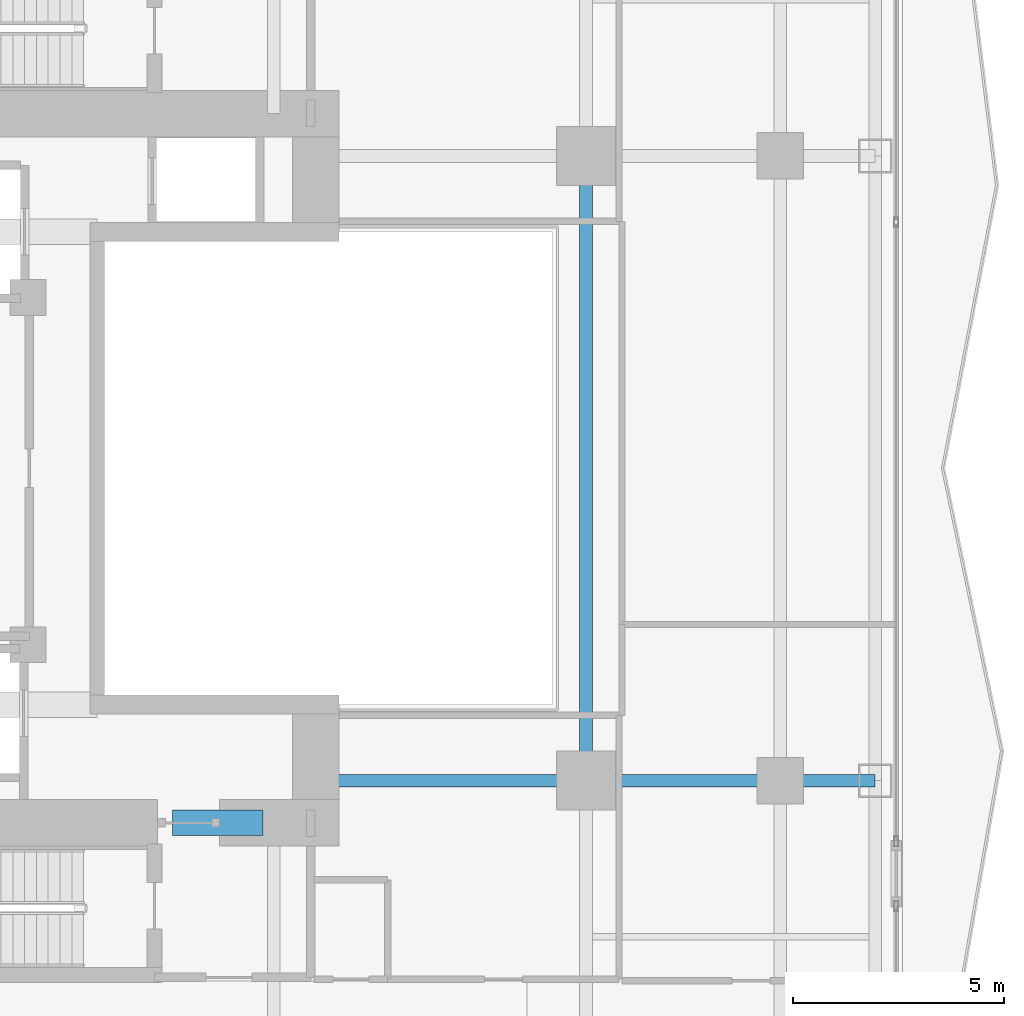
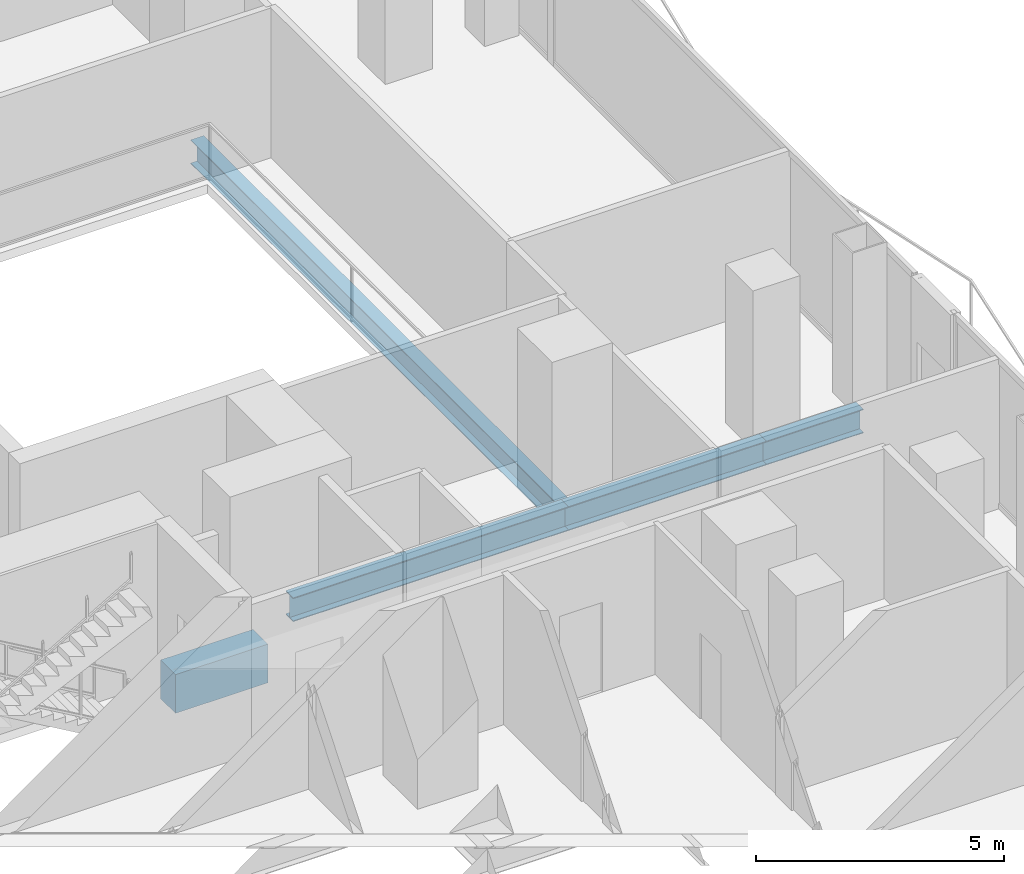
# One storey, part 11 of 29: 5 beams.
"""IFC4 building model written with IfcOpenShell, lengths in metres."""

from ifc_helpers import new_model, si_unit, direction, frame, origin, origin_2d, place, context, subcontext, project, spatial, rectangle, i_section, extrude, material, material_profile, profile_set, type_object, element, save


model = new_model("IFC4")

# Units and contexts
model_context = context("Model", 3, precision=1e-05, world=origin(), true_north=direction((0.0, 1.0)))
body_context = subcontext(model_context, "Body", "Model", "MODEL_VIEW")
ifc_project = project(units=[si_unit("LENGTHUNIT", "METRE"), si_unit("AREAUNIT", "SQUARE_METRE"), si_unit("VOLUMEUNIT", "CUBIC_METRE"), si_unit("PLANEANGLEUNIT", "RADIAN"), si_unit("MASSUNIT", "GRAM", prefix="KILO")], contexts=[model_context])

# Site, building, storey
site_placement = place(None, origin())
site = spatial("IfcSite", under=ifc_project, at=site_placement, CompositionType="ELEMENT")
building_placement = place(site_placement, origin())
building = spatial("IfcBuilding", under=site, at=building_placement, Name="Khorvyn Point Tower", CompositionType="ELEMENT")
storey_placement = place(building_placement, frame((0.0, 0.0, 61.800048828125)))
storey = spatial("IfcBuildingStorey", under=building, at=storey_placement, Name="L16", CompositionType="ELEMENT", Elevation=61.800048828125)

# Beams
ifc_material_1 = material(Name="Concrete C50/60", Category="concrete")
ifc_material_profile_1 = material_profile(ifc_material_1, rectangle(XDim=0.60009765625, YDim=0.949951171875, at=origin_2d()))
ifc_profile_set_1 = profile_set([ifc_material_profile_1], Name="Concrete C50/60 RC600x950")
beam_type_1 = type_object("IfcBeamType", Name="Concrete C50/60 Beam RC600x950", PredefinedType="BEAM", material=ifc_profile_set_1)
beam_1_placement = place(storey_placement, frame((5.0, -8.39990234375, -0.695068359375), z_axis=(1.0, 0.0, 0.0), x_axis=(0.0, 1.0, 0.0)))
element("IfcBeam", 1, at=beam_1_placement, inside=storey, type_object=beam_type_1, Name="L16 Core Southeast Portal Coupling Beam", PredefinedType="BEAM", context=body_context, shape_type="SweptSolid", body=[
    extrude(rectangle(XDim=0.60009765625, YDim=0.949951171875, at=origin_2d()), origin(), (0.0, 0.0, 1.0), 2.14990234375),
])
ifc_material_2 = material(Name="Steel S355", Category="steel")
ifc_material_profile_2 = material_profile(ifc_material_2, i_section(OverallWidth=0.300048828125, OverallDepth=0.587890625, WebThickness=0.011962890625, FlangeThickness=0.02001953125, at=origin_2d()))
ifc_profile_set_2 = profile_set([ifc_material_profile_2], Name="Steel S355 H588x300x12x20")
beam_type_2 = type_object("IfcBeamType", Name="Steel S355 Beam H588x300x12x20", PredefinedType="BEAM", material=ifc_profile_set_2)
beam_2_placement = place(storey_placement, frame((8.39990234375, -7.39990234375, -0.51416015625), z_axis=(1.0, 0.0, 0.0), x_axis=(0.0, 1.0, 0.0)))
element("IfcBeam", 2, at=beam_2_placement, inside=storey, type_object=beam_type_2, Name="Beam", PredefinedType="BEAM", context=body_context, shape_type="SweptSolid", body=[
    extrude(i_section(OverallWidth=0.300048828125, OverallDepth=0.587890625, WebThickness=0.011962890625, FlangeThickness=0.02001953125, at=origin_2d()), origin(), (0.0, 0.0, 1.0), 6.400146484375),
])
beam_3_placement = place(storey_placement, frame((14.800048828125, -7.39990234375, -0.51416015625), z_axis=(1.0, 0.0, 0.0), x_axis=(0.0, 1.0, 0.0)))
element("IfcBeam", 3, at=beam_3_placement, inside=storey, type_object=beam_type_2, Name="Beam", PredefinedType="BEAM", context=body_context, shape_type="SweptSolid", body=[
    extrude(i_section(OverallWidth=0.300048828125, OverallDepth=0.587890625, WebThickness=0.011962890625, FlangeThickness=0.02001953125, at=origin_2d()), origin(), (0.0, 0.0, 1.0), 4.599853515625),
])
beam_4_placement = place(storey_placement, frame((19.39990234375, -7.39990234375, -0.51416015625), z_axis=(1.0, 0.0, 0.0), x_axis=(0.0, 1.0, 0.0)))
element("IfcBeam", 4, at=beam_4_placement, inside=storey, type_object=beam_type_2, Name="Beam", PredefinedType="BEAM", context=body_context, shape_type="SweptSolid", body=[
    extrude(i_section(OverallWidth=0.300048828125, OverallDepth=0.587890625, WebThickness=0.011962890625, FlangeThickness=0.02001953125, at=origin_2d()), origin(), (0.0, 0.0, 1.0), 2.25),
])
beam_5_placement = place(storey_placement, frame((14.800048828125, -7.39990234375, -0.51416015625), z_axis=(0.0, 1.0, 0.0), x_axis=(-1.0, 0.0, 0.0)))
element("IfcBeam", 5, at=beam_5_placement, inside=storey, type_object=beam_type_2, Name="Beam", PredefinedType="BEAM", context=body_context, shape_type="SweptSolid", body=[
    extrude(i_section(OverallWidth=0.300048828125, OverallDepth=0.587890625, WebThickness=0.011962890625, FlangeThickness=0.02001953125, at=origin_2d()), origin(), (0.0, 0.0, 1.0), 14.7998046875),
])

save(model, "model.ifc")
